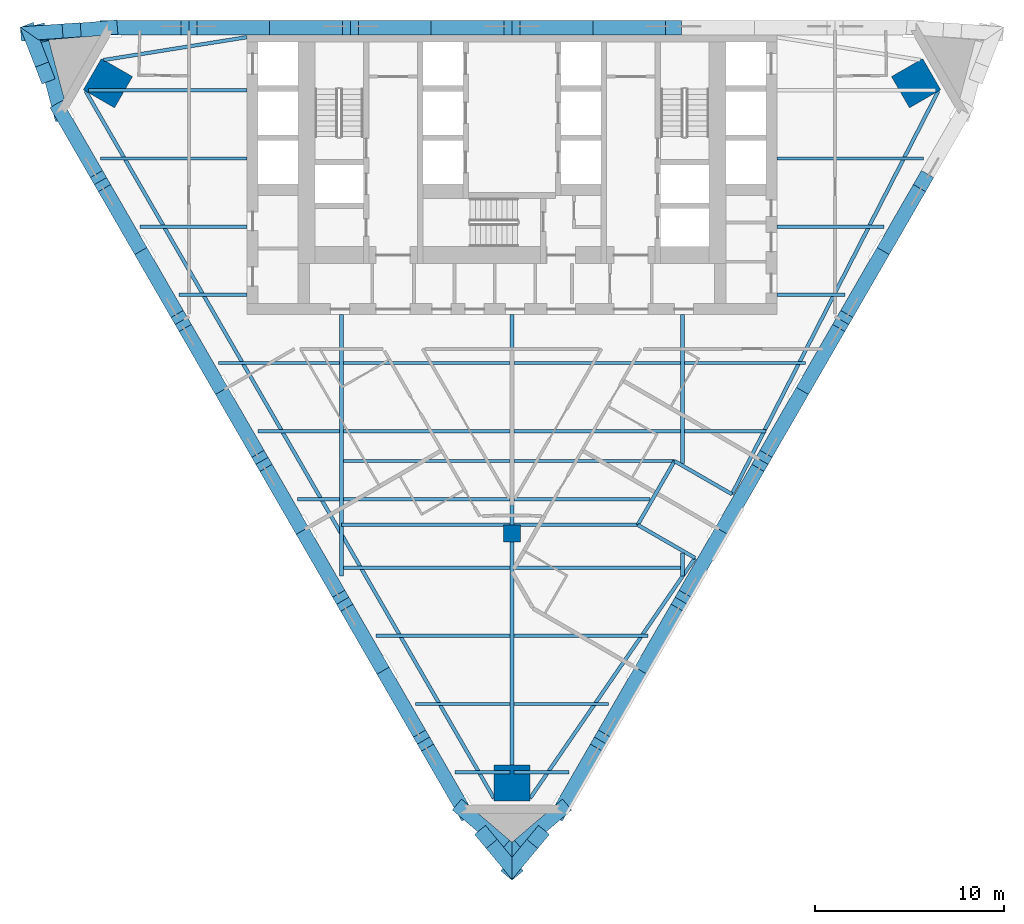
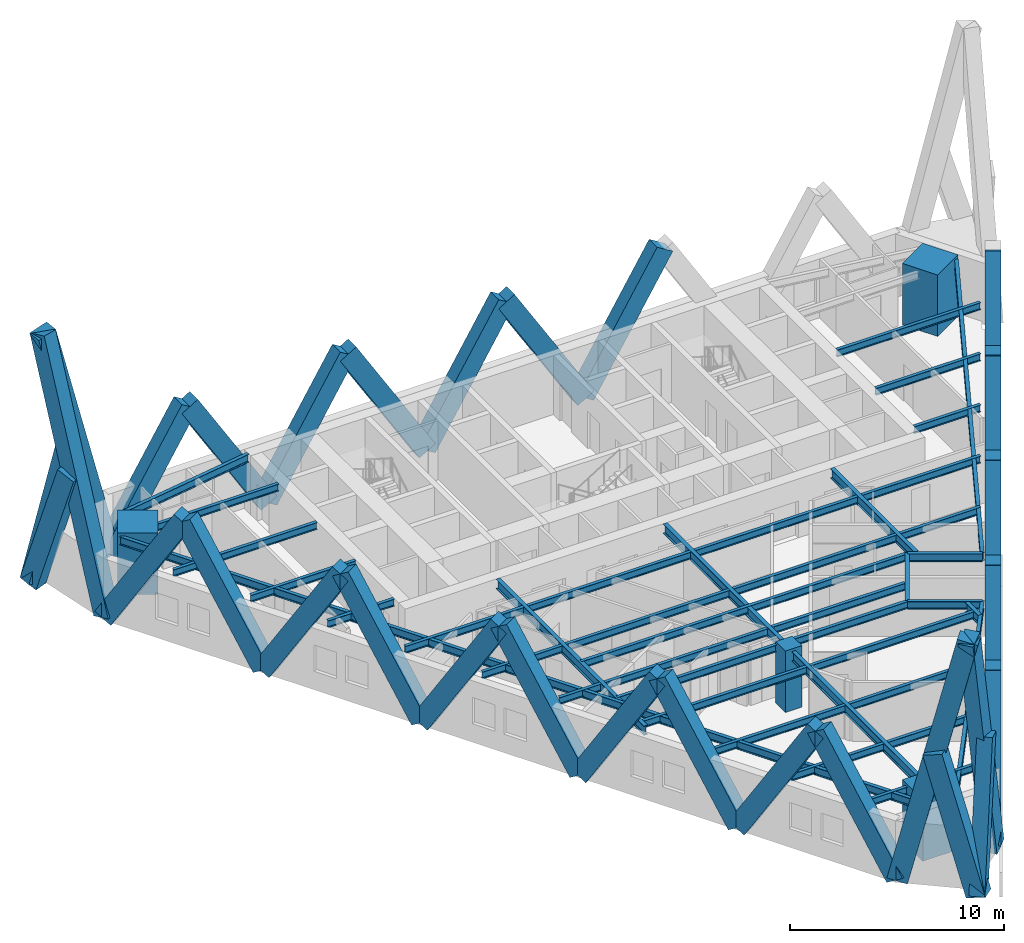
# One storey, part 1 of 9: 40 beams, 34 members, 4 columns.
"""IFC4 building model written with IfcOpenShell, lengths in metres."""

from ifc_helpers import new_model, si_unit, direction, frame, origin, origin_2d, place, context, subcontext, project, spatial, rectangle, i_section, extrude, material, material_profile, profile_set, type_object, element, save


model = new_model("IFC4")

# Units and contexts
model_context = context("Model", 3, precision=1e-05, world=origin(), true_north=direction((0.0, 1.0)))
body_context = subcontext(model_context, "Body", "Model", "MODEL_VIEW")
ifc_project = project(units=[si_unit("LENGTHUNIT", "METRE"), si_unit("AREAUNIT", "SQUARE_METRE"), si_unit("VOLUMEUNIT", "CUBIC_METRE"), si_unit("PLANEANGLEUNIT", "RADIAN"), si_unit("MASSUNIT", "GRAM", prefix="KILO")], contexts=[model_context])

# Site, building, storey
site_placement = place(None, origin())
site = spatial("IfcSite", under=ifc_project, at=site_placement, CompositionType="ELEMENT")
building_placement = place(site_placement, origin())
building = spatial("IfcBuilding", under=site, at=building_placement, Name="Aloe Facet Convention Tower", CompositionType="ELEMENT")
storey_placement = place(building_placement, frame((0.0, 0.0, 109.800048828125)))
storey = spatial("IfcBuildingStorey", under=building, at=storey_placement, Name="L27", CompositionType="ELEMENT", Elevation=109.800048828125)

# Columns
ifc_material_1 = material(Name="Concrete C70/85", Category="concrete")
ifc_material_profile_1 = material_profile(ifc_material_1, rectangle(XDim=0.89990234375, YDim=0.89990234375, at=origin_2d()), Name="SF-GC-Z2")
ifc_profile_set_1 = profile_set([ifc_material_profile_1], Name="Concrete C70/85")
column_type_1 = type_object("IfcColumnType", Name="SF-GC-Z2", PredefinedType="COLUMN", material=ifc_profile_set_1)
column_placement = place(storey_placement, frame((80.0, 108.0, 0.0), z_axis=(0.0, 0.0, 1.0), x_axis=(1.0, 0.0, 0.0)))
element("IfcColumn", 1, at=column_placement, inside=storey, type_object=column_type_1, Name="Gravity column GC-Z2-9D", PredefinedType="COLUMN", context=body_context, shape_type="SweptSolid", body=[
    extrude(rectangle(XDim=0.89990234375, YDim=0.89990234375, at=origin_2d()), origin(), (0.0, 0.0, 1.0), 3.5),
])
ifc_material_2 = material(Name="Concrete C80/95", Category="concrete")
ifc_material_profile_2 = material_profile(ifc_material_2, rectangle(XDim=1.89990234375, YDim=1.89990234375, at=origin_2d()), Name="STW-MC-Z2")
ifc_profile_set_2 = profile_set([ifc_material_profile_2], Name="Concrete C80/95")
column_type_2 = type_object("IfcColumnType", Name="STW-MC-Z2", PredefinedType="COLUMN", material=ifc_profile_set_2)
for number, where, z_axis, x_axis, name in (
    (2, (101.3359375, 131.775146484375, 0.0), (0.0, 0.0, 1.0), (-0.5, 0.866025403784, 0.0), "Mega-column MC-NE-L27"),
    (3, (58.6640625, 131.775146484375, 0.0), (0.0, 0.0, 1.0), (-0.5, -0.866025403784, 0.0), "Mega-column MC-NW-L27"),
    (4, (80.0, 94.8203125, 0.0), (0.0, 0.0, 1.0), (1.0, 0.0, 0.0), "Mega-column MC-S-L27"),
):
    element("IfcColumn", number, at=place(storey_placement, frame(where, z_axis=z_axis, x_axis=x_axis)), inside=storey, type_object=column_type_2, Name=name, PredefinedType="COLUMN", context=body_context, shape_type="SweptSolid", body=[
        extrude(rectangle(XDim=1.89990234375, YDim=1.89990234375, at=origin_2d()), origin(), (0.0, 0.0, 1.0), 3.5),
    ])

# Beams
ifc_material_3 = material(Name="Steel S355", Category="steel")
ifc_material_profile_3 = material_profile(ifc_material_3, i_section(OverallWidth=0.177734375, OverallDepth=0.402587890625, WebThickness=0.0078125, FlangeThickness=0.010986328125, FilletRadius=0.01025390625, at=origin_2d()), Name="UB 406x178x54")
ifc_profile_set_3 = profile_set([ifc_material_profile_3], Name="Steel S355")
beam_type_1 = type_object("IfcBeamType", Name="SF-B-UB406x178x54", PredefinedType="BEAM", material=ifc_profile_set_3)
beam_1_placement = place(storey_placement, frame((57.6376953125, 131.39990234375, 3.148681640625), z_axis=(1.0, 0.0, 0.0), x_axis=(0.0, 1.0, 0.0)))
element("IfcBeam", 5, at=beam_1_placement, inside=storey, type_object=beam_type_1, Name="Floor beam FB-Z2G-014", PredefinedType="BEAM", context=body_context, shape_type="SweptSolid", body=[
    extrude(i_section(OverallWidth=0.177734375, OverallDepth=0.402587890625, WebThickness=0.0078125, FlangeThickness=0.010986328125, FilletRadius=0.01025390625, at=origin_2d()), origin(), (0.0, 0.0, 1.0), 8.3623046875),
])
beam_2_placement = place(storey_placement, frame((58.27294921875, 127.800048828125, 3.148681640625), z_axis=(1.0, 0.0, 0.0), x_axis=(0.0, 1.0, 0.0)))
element("IfcBeam", 6, at=beam_2_placement, inside=storey, type_object=beam_type_1, Name="Floor beam FB-Z2G-015", PredefinedType="BEAM", context=body_context, shape_type="SweptSolid", body=[
    extrude(i_section(OverallWidth=0.177734375, OverallDepth=0.402587890625, WebThickness=0.0078125, FlangeThickness=0.010986328125, FilletRadius=0.01025390625, at=origin_2d()), origin(), (0.0, 0.0, 1.0), 7.72705078125),
])
beam_3_placement = place(storey_placement, frame((60.351318359375, 124.199951171875, 3.148681640625), z_axis=(1.0, 0.0, 0.0), x_axis=(0.0, 1.0, 0.0)))
element("IfcBeam", 7, at=beam_3_placement, inside=storey, type_object=beam_type_1, Name="Floor beam FB-Z2G-016", PredefinedType="BEAM", context=body_context, shape_type="SweptSolid", body=[
    extrude(i_section(OverallWidth=0.177734375, OverallDepth=0.402587890625, WebThickness=0.0078125, FlangeThickness=0.010986328125, FilletRadius=0.01025390625, at=origin_2d()), origin(), (0.0, 0.0, 1.0), 5.648681640625),
])
beam_4_placement = place(storey_placement, frame((62.429931640625, 120.60009765625, 3.148681640625), z_axis=(1.0, 0.0, 0.0), x_axis=(0.0, 1.0, 0.0)))
element("IfcBeam", 8, at=beam_4_placement, inside=storey, type_object=beam_type_1, Name="Floor beam FB-Z2G-017", PredefinedType="BEAM", context=body_context, shape_type="SweptSolid", body=[
    extrude(i_section(OverallWidth=0.177734375, OverallDepth=0.402587890625, WebThickness=0.0078125, FlangeThickness=0.010986328125, FilletRadius=0.01025390625, at=origin_2d()), origin(), (0.0, 0.0, 1.0), 3.570068359375),
])
beam_5_placement = place(storey_placement, frame((64.50830078125, 117.0, 3.148681640625), z_axis=(1.0, 0.0, 0.0), x_axis=(0.0, 1.0, 0.0)))
element("IfcBeam", 9, at=beam_5_placement, inside=storey, type_object=beam_type_1, Name="Floor beam FB-Z2G-018", PredefinedType="BEAM", context=body_context, shape_type="SweptSolid", body=[
    extrude(i_section(OverallWidth=0.177734375, OverallDepth=0.402587890625, WebThickness=0.0078125, FlangeThickness=0.010986328125, FilletRadius=0.01025390625, at=origin_2d()), origin(), (0.0, 0.0, 1.0), 6.38623046875),
])
beam_6_placement = place(storey_placement, frame((66.5869140625, 113.39990234375, 3.148681640625), z_axis=(1.0, 0.0, 0.0), x_axis=(0.0, 1.0, 0.0)))
element("IfcBeam", 10, at=beam_6_placement, inside=storey, type_object=beam_type_1, Name="Floor beam FB-Z2G-019", PredefinedType="BEAM", context=body_context, shape_type="SweptSolid", body=[
    extrude(i_section(OverallWidth=0.177734375, OverallDepth=0.402587890625, WebThickness=0.0078125, FlangeThickness=0.010986328125, FilletRadius=0.01025390625, at=origin_2d()), origin(), (0.0, 0.0, 1.0), 4.3076171875),
])
beam_7_placement = place(storey_placement, frame((68.665283203125, 109.800048828125, 3.148681640625), z_axis=(1.0, 0.0, 0.0), x_axis=(0.0, 1.0, 0.0)))
element("IfcBeam", 11, at=beam_7_placement, inside=storey, type_object=beam_type_1, Name="Floor beam FB-Z2G-020", PredefinedType="BEAM", context=body_context, shape_type="SweptSolid", body=[
    extrude(i_section(OverallWidth=0.177734375, OverallDepth=0.402587890625, WebThickness=0.0078125, FlangeThickness=0.010986328125, FilletRadius=0.01025390625, at=origin_2d()), origin(), (0.0, 0.0, 1.0), 2.229248046875),
])
for number, where, z_axis, x_axis, name in (
    (12, (71.10546875, 106.199951171875, 3.148681640625), (1.0, 0.0, 0.0), (0.0, 1.0, 0.0), "Floor beam FB-Z2G-021"),
    (13, (71.10546875, 109.800048828125, 3.148681640625), (1.0, 0.0, 0.0), (0.0, 1.0, 0.0), "Floor beam FB-Z2G-022"),
    (14, (71.10546875, 113.39990234375, 3.148681640625), (1.0, 0.0, 0.0), (0.0, 1.0, 0.0), "Floor beam FB-Z2G-023"),
    (15, (71.10546875, 117.0, 3.148681640625), (1.0, 0.0, 0.0), (0.0, 1.0, 0.0), "Floor beam FB-Z2G-024"),
):
    element("IfcBeam", number, at=place(storey_placement, frame(where, z_axis=z_axis, x_axis=x_axis)), inside=storey, type_object=beam_type_1, Name=name, PredefinedType="BEAM", context=body_context, shape_type="SweptSolid", body=[
        extrude(i_section(OverallWidth=0.177734375, OverallDepth=0.402587890625, WebThickness=0.0078125, FlangeThickness=0.010986328125, FilletRadius=0.01025390625, at=origin_2d()), origin(), (0.0, 0.0, 1.0), 8.7890625),
    ])
beam_8_placement = place(storey_placement, frame((72.822265625, 102.60009765625, 3.148681640625), z_axis=(1.0, 0.0, 0.0), x_axis=(0.0, 1.0, 0.0)))
element("IfcBeam", 16, at=beam_8_placement, inside=storey, type_object=beam_type_1, Name="Floor beam FB-Z2G-025", PredefinedType="BEAM", context=body_context, shape_type="SweptSolid", body=[
    extrude(i_section(OverallWidth=0.177734375, OverallDepth=0.402587890625, WebThickness=0.0078125, FlangeThickness=0.010986328125, FilletRadius=0.01025390625, at=origin_2d()), origin(), (0.0, 0.0, 1.0), 7.072265625),
])
beam_9_placement = place(storey_placement, frame((74.900634765625, 99.0, 3.148681640625), z_axis=(1.0, 0.0, 0.0), x_axis=(0.0, 1.0, 0.0)))
element("IfcBeam", 17, at=beam_9_placement, inside=storey, type_object=beam_type_1, Name="Floor beam FB-Z2G-026", PredefinedType="BEAM", context=body_context, shape_type="SweptSolid", body=[
    extrude(i_section(OverallWidth=0.177734375, OverallDepth=0.402587890625, WebThickness=0.0078125, FlangeThickness=0.010986328125, FilletRadius=0.01025390625, at=origin_2d()), origin(), (0.0, 0.0, 1.0), 4.993896484375),
])
for number, where, z_axis, x_axis, name in (
    (18, (76.97900390625, 95.39990234375, 3.148681640625), (1.0, 0.0, 0.0), (0.0, 1.0, 0.0), "Floor beam FB-Z2G-027"),
    (19, (80.10546875, 95.39990234375, 3.148681640625), (1.0, 0.0, 0.0), (0.0, 1.0, 0.0), "Floor beam FB-Z2G-028"),
):
    element("IfcBeam", number, at=place(storey_placement, frame(where, z_axis=z_axis, x_axis=x_axis)), inside=storey, type_object=beam_type_1, Name=name, PredefinedType="BEAM", context=body_context, shape_type="SweptSolid", body=[
        extrude(i_section(OverallWidth=0.177734375, OverallDepth=0.402587890625, WebThickness=0.0078125, FlangeThickness=0.010986328125, FilletRadius=0.01025390625, at=origin_2d()), origin(), (0.0, 0.0, 1.0), 2.91552734375),
    ])
beam_10_placement = place(storey_placement, frame((80.10546875, 99.0, 3.148681640625), z_axis=(1.0, 0.0, 0.0), x_axis=(0.0, 1.0, 0.0)))
element("IfcBeam", 20, at=beam_10_placement, inside=storey, type_object=beam_type_1, Name="Floor beam FB-Z2G-029", PredefinedType="BEAM", context=body_context, shape_type="SweptSolid", body=[
    extrude(i_section(OverallWidth=0.177734375, OverallDepth=0.402587890625, WebThickness=0.0078125, FlangeThickness=0.010986328125, FilletRadius=0.01025390625, at=origin_2d()), origin(), (0.0, 0.0, 1.0), 4.993896484375),
])
beam_11_placement = place(storey_placement, frame((80.10546875, 102.60009765625, 3.148681640625), z_axis=(1.0, 0.0, 0.0), x_axis=(0.0, 1.0, 0.0)))
element("IfcBeam", 21, at=beam_11_placement, inside=storey, type_object=beam_type_1, Name="Floor beam FB-Z2G-030", PredefinedType="BEAM", context=body_context, shape_type="SweptSolid", body=[
    extrude(i_section(OverallWidth=0.177734375, OverallDepth=0.402587890625, WebThickness=0.0078125, FlangeThickness=0.010986328125, FilletRadius=0.01025390625, at=origin_2d()), origin(), (0.0, 0.0, 1.0), 7.072265625),
])
beam_12_placement = place(storey_placement, frame((80.10546875, 106.199951171875, 3.148681640625), z_axis=(1.0, 0.0, 0.0), x_axis=(0.0, 1.0, 0.0)))
element("IfcBeam", 22, at=beam_12_placement, inside=storey, type_object=beam_type_1, Name="Floor beam FB-Z2G-031", PredefinedType="BEAM", context=body_context, shape_type="SweptSolid", body=[
    extrude(i_section(OverallWidth=0.177734375, OverallDepth=0.402587890625, WebThickness=0.0078125, FlangeThickness=0.010986328125, FilletRadius=0.01025390625, at=origin_2d()), origin(), (0.0, 0.0, 1.0), 8.7890625),
])
beam_13_placement = place(storey_placement, frame((80.10546875, 109.800048828125, 3.148681640625), z_axis=(1.0, 0.0, 0.0), x_axis=(0.0, 1.0, 0.0)))
element("IfcBeam", 23, at=beam_13_placement, inside=storey, type_object=beam_type_1, Name="Floor beam FB-Z2G-032", PredefinedType="BEAM", context=body_context, shape_type="SweptSolid", body=[
    extrude(i_section(OverallWidth=0.177734375, OverallDepth=0.402587890625, WebThickness=0.0078125, FlangeThickness=0.010986328125, FilletRadius=0.01025390625, at=origin_2d()), origin(), (0.0, 0.0, 1.0), 7.187744140625),
])
for number, where, z_axis, x_axis, name in (
    (24, (80.10546875, 113.39990234375, 3.148681640625), (1.0, 0.0, 0.0), (0.0, 1.0, 0.0), "Floor beam FB-Z2G-033"),
    (25, (80.10546875, 117.0, 3.148681640625), (1.0, 0.0, 0.0), (0.0, 1.0, 0.0), "Floor beam FB-Z2G-034"),
):
    element("IfcBeam", number, at=place(storey_placement, frame(where, z_axis=z_axis, x_axis=x_axis)), inside=storey, type_object=beam_type_1, Name=name, PredefinedType="BEAM", context=body_context, shape_type="SweptSolid", body=[
        extrude(i_section(OverallWidth=0.177734375, OverallDepth=0.402587890625, WebThickness=0.0078125, FlangeThickness=0.010986328125, FilletRadius=0.01025390625, at=origin_2d()), origin(), (0.0, 0.0, 1.0), 8.7890625),
    ])
beam_14_placement = place(storey_placement, frame((86.63671875, 108.455322265625, 3.148681640625), z_axis=(-1.0, 0.0, 0.0), x_axis=(0.0, -1.0, 0.0)))
element("IfcBeam", 26, at=beam_14_placement, inside=storey, type_object=beam_type_1, Name="Floor beam FB-Z2G-035", PredefinedType="BEAM", context=body_context, shape_type="SweptSolid", body=[
    extrude(i_section(OverallWidth=0.177734375, OverallDepth=0.402587890625, WebThickness=0.0078125, FlangeThickness=0.010986328125, FilletRadius=0.01025390625, at=origin_2d()), origin(), (0.0, 0.0, 1.0), 15.63671875),
])
beam_15_placement = place(storey_placement, frame((88.58154296875, 111.82421875, 3.148681640625), z_axis=(-1.0, 0.0, 0.0), x_axis=(0.0, -1.0, 0.0)))
element("IfcBeam", 27, at=beam_15_placement, inside=storey, type_object=beam_type_1, Name="Floor beam FB-Z2G-036", PredefinedType="BEAM", context=body_context, shape_type="SweptSolid", body=[
    extrude(i_section(OverallWidth=0.177734375, OverallDepth=0.402587890625, WebThickness=0.0078125, FlangeThickness=0.010986328125, FilletRadius=0.01025390625, at=origin_2d()), origin(), (0.0, 0.0, 1.0), 17.58154296875),
])
beam_16_placement = place(storey_placement, frame((89.10546875, 113.39990234375, 3.148681640625), z_axis=(1.0, 0.0, 0.0), x_axis=(0.0, 1.0, 0.0)))
element("IfcBeam", 28, at=beam_16_placement, inside=storey, type_object=beam_type_1, Name="Floor beam FB-Z2G-037", PredefinedType="BEAM", context=body_context, shape_type="SweptSolid", body=[
    extrude(i_section(OverallWidth=0.177734375, OverallDepth=0.402587890625, WebThickness=0.0078125, FlangeThickness=0.010986328125, FilletRadius=0.01025390625, at=origin_2d()), origin(), (0.0, 0.0, 1.0), 4.3076171875),
])
beam_17_placement = place(storey_placement, frame((89.10546875, 117.0, 3.148681640625), z_axis=(1.0, 0.0, 0.0), x_axis=(0.0, 1.0, 0.0)))
element("IfcBeam", 29, at=beam_17_placement, inside=storey, type_object=beam_type_1, Name="Floor beam FB-Z2G-038", PredefinedType="BEAM", context=body_context, shape_type="SweptSolid", body=[
    extrude(i_section(OverallWidth=0.177734375, OverallDepth=0.402587890625, WebThickness=0.0078125, FlangeThickness=0.010986328125, FilletRadius=0.01025390625, at=origin_2d()), origin(), (0.0, 0.0, 1.0), 6.38623046875),
])
beam_18_placement = place(storey_placement, frame((94.0, 120.60009765625, 3.148681640625), z_axis=(1.0, 0.0, 0.0), x_axis=(0.0, 1.0, 0.0)))
element("IfcBeam", 30, at=beam_18_placement, inside=storey, type_object=beam_type_1, Name="Floor beam FB-Z2G-039", PredefinedType="BEAM", context=body_context, shape_type="SweptSolid", body=[
    extrude(i_section(OverallWidth=0.177734375, OverallDepth=0.402587890625, WebThickness=0.0078125, FlangeThickness=0.010986328125, FilletRadius=0.01025390625, at=origin_2d()), origin(), (0.0, 0.0, 1.0), 3.570068359375),
])
beam_19_placement = place(storey_placement, frame((94.0, 124.199951171875, 3.148681640625), z_axis=(1.0, 0.0, 0.0), x_axis=(0.0, 1.0, 0.0)))
element("IfcBeam", 31, at=beam_19_placement, inside=storey, type_object=beam_type_1, Name="Floor beam FB-Z2G-040", PredefinedType="BEAM", context=body_context, shape_type="SweptSolid", body=[
    extrude(i_section(OverallWidth=0.177734375, OverallDepth=0.402587890625, WebThickness=0.0078125, FlangeThickness=0.010986328125, FilletRadius=0.01025390625, at=origin_2d()), origin(), (0.0, 0.0, 1.0), 5.648681640625),
])
beam_20_placement = place(storey_placement, frame((94.0, 127.800048828125, 3.148681640625), z_axis=(1.0, 0.0, 0.0), x_axis=(0.0, 1.0, 0.0)))
element("IfcBeam", 32, at=beam_20_placement, inside=storey, type_object=beam_type_1, Name="Floor beam FB-Z2G-041", PredefinedType="BEAM", context=body_context, shape_type="SweptSolid", body=[
    extrude(i_section(OverallWidth=0.177734375, OverallDepth=0.402587890625, WebThickness=0.0078125, FlangeThickness=0.010986328125, FilletRadius=0.01025390625, at=origin_2d()), origin(), (0.0, 0.0, 1.0), 7.72705078125),
])
ifc_material_4 = material(Name="Steel S355", Category="steel")
ifc_material_profile_4 = material_profile(ifc_material_4, i_section(OverallWidth=0.18994140625, OverallDepth=0.453369140625, WebThickness=0.008544921875, FlangeThickness=0.0126953125, FilletRadius=0.01025390625, at=origin_2d()), Name="UB 457x191x67")
ifc_profile_set_4 = profile_set([ifc_material_profile_4], Name="Steel S355")
beam_type_2 = type_object("IfcBeamType", Name="SF-B-UB457x191x67", PredefinedType="BEAM", material=ifc_profile_set_4)
beam_21_placement = place(storey_placement, frame((66.0, 134.205078125, 3.123291015625), z_axis=(-0.987536396348, -0.15739080624, 0.0), x_axis=(0.15739080624, -0.987536396348, 0.0)))
element("IfcBeam", 33, at=beam_21_placement, inside=storey, type_object=beam_type_2, Name="Floor beam FB-Z2G-001", PredefinedType="BEAM", context=body_context, shape_type="SweptSolid", body=[
    extrude(i_section(OverallWidth=0.18994140625, OverallDepth=0.453369140625, WebThickness=0.008544921875, FlangeThickness=0.0126953125, FilletRadius=0.01025390625, at=origin_2d()), origin(), (0.0, 0.0, 1.0), 7.653564453125),
])
beam_22_placement = place(storey_placement, frame((79.050048828125, 94.01513671875, 3.123291015625), z_axis=(-0.499998897659, 0.86602604022, 0.0), x_axis=(-0.86602604022, -0.499998897659, 0.0)))
element("IfcBeam", 34, at=beam_22_placement, inside=storey, type_object=beam_type_2, Name="Floor beam FB-Z2G-002", PredefinedType="BEAM", context=body_context, shape_type="SweptSolid", body=[
    extrude(i_section(OverallWidth=0.18994140625, OverallDepth=0.453369140625, WebThickness=0.008544921875, FlangeThickness=0.0126953125, FilletRadius=0.01025390625, at=origin_2d()), origin(), (0.0, 0.0, 1.0), 43.1162109375),
])
beam_23_placement = place(storey_placement, frame((86.63671875, 108.455322265625, 3.123291015625), z_axis=(0.866019471182, -0.500010275428, 0.0), x_axis=(0.500010275428, 0.866019471182, 0.0)))
element("IfcBeam", 35, at=beam_23_placement, inside=storey, type_object=beam_type_2, Name="Floor beam FB-Z2G-003", PredefinedType="BEAM", context=body_context, shape_type="SweptSolid", body=[
    extrude(i_section(OverallWidth=0.18994140625, OverallDepth=0.453369140625, WebThickness=0.008544921875, FlangeThickness=0.0126953125, FilletRadius=0.01025390625, at=origin_2d()), origin(), (0.0, 0.0, 1.0), 3.5),
])
beam_24_placement = place(storey_placement, frame((88.58154296875, 111.82421875, 3.123291015625), z_axis=(-0.499959689288, -0.866048675934, 0.0), x_axis=(0.866048675934, -0.499959689288, 0.0)))
element("IfcBeam", 36, at=beam_24_placement, inside=storey, type_object=beam_type_2, Name="Floor beam FB-Z2G-004", PredefinedType="BEAM", context=body_context, shape_type="SweptSolid", body=[
    extrude(i_section(OverallWidth=0.18994140625, OverallDepth=0.453369140625, WebThickness=0.008544921875, FlangeThickness=0.0126953125, FilletRadius=0.01025390625, at=origin_2d()), origin(), (0.0, 0.0, 1.0), 3.889892578125),
])
beam_25_placement = place(storey_placement, frame((89.667724609375, 106.705322265625, 3.123291015625), z_axis=(-0.566231998303, -0.824245912394, 0.0), x_axis=(0.824245912394, -0.566231998303, 0.0)))
element("IfcBeam", 37, at=beam_25_placement, inside=storey, type_object=beam_type_2, Name="Floor beam FB-Z2G-005", PredefinedType="BEAM", context=body_context, shape_type="SweptSolid", body=[
    extrude(i_section(OverallWidth=0.18994140625, OverallDepth=0.453369140625, WebThickness=0.008544921875, FlangeThickness=0.0126953125, FilletRadius=0.01025390625, at=origin_2d()), origin(), (0.0, 0.0, 1.0), 15.39599609375),
])
beam_26_placement = place(storey_placement, frame((91.612548828125, 110.07421875, 3.123291015625), z_axis=(-0.866019471182, 0.500010275428, 0.0), x_axis=(-0.500010275428, -0.866019471182, 0.0)))
element("IfcBeam", 38, at=beam_26_placement, inside=storey, type_object=beam_type_2, Name="Floor beam FB-Z2G-006", PredefinedType="BEAM", context=body_context, shape_type="SweptSolid", body=[
    extrude(i_section(OverallWidth=0.18994140625, OverallDepth=0.453369140625, WebThickness=0.008544921875, FlangeThickness=0.0126953125, FilletRadius=0.01025390625, at=origin_2d()), origin(), (0.0, 0.0, 1.0), 3.5),
])
beam_27_placement = place(storey_placement, frame((91.612548828125, 110.07421875, 3.123291015625), z_axis=(0.45573025234, 0.890117934379, 0.0), x_axis=(-0.890117934379, 0.45573025234, 0.0)))
element("IfcBeam", 39, at=beam_27_placement, inside=storey, type_object=beam_type_2, Name="Floor beam FB-Z2G-007", PredefinedType="BEAM", context=body_context, shape_type="SweptSolid", body=[
    extrude(i_section(OverallWidth=0.18994140625, OverallDepth=0.453369140625, WebThickness=0.008544921875, FlangeThickness=0.0126953125, FilletRadius=0.01025390625, at=origin_2d()), origin(), (0.0, 0.0, 1.0), 23.90771484375),
])
ifc_material_5 = material(Name="Steel S355", Category="steel")
ifc_material_profile_5 = material_profile(ifc_material_5, i_section(OverallWidth=0.210693359375, OverallDepth=0.53955078125, WebThickness=0.01171875, FlangeThickness=0.018798828125, FilletRadius=0.0126953125, at=origin_2d()), Name="UB 533x210x109")
ifc_profile_set_5 = profile_set([ifc_material_profile_5], Name="Steel S355")
beam_type_3 = type_object("IfcBeamType", Name="SF-B-UB533x210x109", PredefinedType="BEAM", material=ifc_profile_set_5)
beam_28_placement = place(storey_placement, frame((71.0, 119.550048828125, 3.080078125), z_axis=(0.0, -1.0, 0.0), x_axis=(1.0, 0.0, 0.0)))
element("IfcBeam", 40, at=beam_28_placement, inside=storey, type_object=beam_type_3, Name="Floor beam FB-Z2G-009", PredefinedType="BEAM", context=body_context, shape_type="SweptSolid", body=[
    extrude(i_section(OverallWidth=0.210693359375, OverallDepth=0.53955078125, WebThickness=0.01171875, FlangeThickness=0.018798828125, FilletRadius=0.0126953125, at=origin_2d()), origin(), (0.0, 0.0, 1.0), 13.80126953125),
])
beam_29_placement = place(storey_placement, frame((80.0, 107.550048828125, 3.080078125), z_axis=(0.0, -1.0, 0.0), x_axis=(1.0, 0.0, 0.0)))
element("IfcBeam", 41, at=beam_29_placement, inside=storey, type_object=beam_type_3, Name="Floor beam FB-Z2G-010", PredefinedType="BEAM", context=body_context, shape_type="SweptSolid", body=[
    extrude(i_section(OverallWidth=0.210693359375, OverallDepth=0.53955078125, WebThickness=0.01171875, FlangeThickness=0.018798828125, FilletRadius=0.0126953125, at=origin_2d()), origin(), (0.0, 0.0, 1.0), 13.429931640625),
])
beam_30_placement = place(storey_placement, frame((80.0, 119.550048828125, 3.080078125), z_axis=(0.0, -1.0, 0.0), x_axis=(1.0, 0.0, 0.0)))
element("IfcBeam", 42, at=beam_30_placement, inside=storey, type_object=beam_type_3, Name="Floor beam FB-Z2G-011", PredefinedType="BEAM", context=body_context, shape_type="SweptSolid", body=[
    extrude(i_section(OverallWidth=0.210693359375, OverallDepth=0.53955078125, WebThickness=0.01171875, FlangeThickness=0.018798828125, FilletRadius=0.0126953125, at=origin_2d()), origin(), (0.0, 0.0, 1.0), 11.10009765625),
])
beam_31_placement = place(storey_placement, frame((89.0, 106.97119140625, 3.080078125), z_axis=(0.0, -1.0, 0.0), x_axis=(1.0, 0.0, 0.0)))
element("IfcBeam", 43, at=beam_31_placement, inside=storey, type_object=beam_type_3, Name="Floor beam FB-Z2G-012", PredefinedType="BEAM", context=body_context, shape_type="SweptSolid", body=[
    extrude(i_section(OverallWidth=0.210693359375, OverallDepth=0.53955078125, WebThickness=0.01171875, FlangeThickness=0.018798828125, FilletRadius=0.0126953125, at=origin_2d()), origin(), (0.0, 0.0, 1.0), 1.222412109375),
])
beam_32_placement = place(storey_placement, frame((89.0, 119.550048828125, 3.080078125), z_axis=(0.0, -1.0, 0.0), x_axis=(1.0, 0.0, 0.0)))
element("IfcBeam", 44, at=beam_32_placement, inside=storey, type_object=beam_type_3, Name="Floor beam FB-Z2G-013", PredefinedType="BEAM", context=body_context, shape_type="SweptSolid", body=[
    extrude(i_section(OverallWidth=0.210693359375, OverallDepth=0.53955078125, WebThickness=0.01171875, FlangeThickness=0.018798828125, FilletRadius=0.0126953125, at=origin_2d()), origin(), (0.0, 0.0, 1.0), 7.847900390625),
])

# Members
ifc_material_6 = material(Name="Concrete C60/75, bronze oxide finish", Category="concrete")
ifc_material_profile_6 = material_profile(ifc_material_6, rectangle(XDim=0.75, YDim=1.0, at=origin_2d()), Name="STW-LM")
ifc_profile_set_6 = profile_set([ifc_material_profile_6], Name="Concrete C60/75, bronze oxide finish")
member_type = type_object("IfcMemberType", Name="STW-LM", PredefinedType="BRACE", material=ifc_profile_set_6)
for number, where, z_axis, x_axis, name in (
    (45, (84.264404296875, 134.699951171875, 0.0), (0.520239844858, 0.0, 0.854020201062), (0.0, 1.0, 0.0), "Lattice member LM-Z2-F1-R4-04"),
    (46, (84.264404296875, 134.699951171875, 0.0), (-0.520261568685, 0.0, 0.854006967272), (0.0, -1.0, 0.0), "Lattice member LM-Z2-F1-R4-05"),
    (47, (75.735595703125, 134.699951171875, 0.0), (0.520261568685, 0.0, 0.854006967272), (0.0, 1.0, 0.0), "Lattice member LM-Z2-F1-R4-06"),
    (48, (75.735595703125, 134.699951171875, 0.0), (-0.520239844858, 0.0, 0.854020201062), (0.0, -1.0, 0.0), "Lattice member LM-Z2-F1-R4-07"),
    (49, (67.20703125, 134.699951171875, 0.0), (0.520261568685, 0.0, 0.854006967272), (0.0, 1.0, 0.0), "Lattice member LM-Z2-F1-R4-08"),
    (50, (67.20703125, 134.699951171875, 0.0), (-0.520239844858, 0.0, 0.854020201062), (0.0, -1.0, 0.0), "Lattice member LM-Z2-F1-R4-09"),
    (51, (58.678466796875, 134.699951171875, 0.0), (0.520261568685, 0.0, 0.854006967272), (0.0, 1.0, 0.0), "Lattice member LM-Z2-F1-R4-10"),
):
    element("IfcMember", number, at=place(storey_placement, frame(where, z_axis=z_axis, x_axis=x_axis)), inside=storey, type_object=member_type, Name=name, PredefinedType="BRACE", context=body_context, shape_type="SweptSolid", body=[
        extrude(rectangle(XDim=0.75, YDim=1.0, at=origin_2d()), origin(), (0.0, 0.0, 1.0), 8.196533203125),
    ])
member_1_placement = place(storey_placement, frame((56.13818359375, 130.30029296875, 0.0), z_axis=(0.260144200438, -0.450561177013, 0.854002119873), x_axis=(0.866014930446, 0.500018139916, 0.0)))
element("IfcMember", 52, at=member_1_placement, inside=storey, type_object=member_type, Name="Lattice member LM-Z2-F2-R4-01", PredefinedType="BRACE", context=body_context, shape_type="SweptSolid", body=[
    extrude(rectangle(XDim=0.75, YDim=1.0, at=origin_2d()), origin(), (0.0, 0.0, 1.0), 8.19677734375),
])
for number, where, z_axis, x_axis, name in (
    (53, (60.402587890625, 122.914306640625, 0.0), (-0.26011992139, 0.45054092877, 0.854020197653), (-0.866025408043, -0.499999992624, 0.0), "Lattice member LM-Z2-F2-R4-02"),
    (54, (60.402587890625, 122.914306640625, 0.0), (0.260116430601, -0.450564668007, 0.854008736768), (0.866039720501, 0.4999752019, 0.0), "Lattice member LM-Z2-F2-R4-03"),
    (55, (64.6669921875, 115.5283203125, 0.0), (-0.260147691546, 0.450537437867, 0.854013580491), (-0.866000615939, -0.500042931351, 0.0), "Lattice member LM-Z2-F2-R4-04"),
    (56, (64.6669921875, 115.5283203125, 0.0), (0.260116430601, -0.450564668007, 0.854008736768), (0.866039720501, 0.4999752019, 0.0), "Lattice member LM-Z2-F2-R4-05"),
    (57, (68.93115234375, 108.142333984375, 0.0), (-0.26011992139, 0.45054092877, 0.854020197653), (-0.866025408043, -0.499999992624, 0.0), "Lattice member LM-Z2-F2-R4-06"),
    (58, (68.93115234375, 108.142333984375, 0.0), (0.260116430601, -0.450564668007, 0.854008736768), (0.866039720501, 0.4999752019, 0.0), "Lattice member LM-Z2-F2-R4-07"),
    (59, (73.195556640625, 100.75634765625, 0.0), (-0.260147691546, 0.450537437867, 0.854013580491), (-0.866000615939, -0.500042931351, 0.0), "Lattice member LM-Z2-F2-R4-08"),
    (60, (73.195556640625, 100.75634765625, 0.0), (0.260116430601, -0.450564668007, 0.854008736768), (0.866039720501, 0.4999752019, 0.0), "Lattice member LM-Z2-F2-R4-09"),
    (61, (77.459716796875, 93.370361328125, 0.0), (-0.26011992139, 0.45054092877, 0.854020197653), (-0.866025408043, -0.499999992624, 0.0), "Lattice member LM-Z2-F2-R4-10"),
    (62, (82.540283203125, 93.370361328125, 0.0), (0.26011992139, 0.45054092877, 0.854020197653), (-0.866025408043, 0.499999992624, 0.0), "Lattice member LM-Z2-F3-R4-01"),
    (63, (86.804443359375, 100.75634765625, 0.0), (-0.260116430601, -0.450564668007, 0.854008736768), (0.866039720501, -0.4999752019, 0.0), "Lattice member LM-Z2-F3-R4-02"),
    (64, (86.804443359375, 100.75634765625, 0.0), (0.260147691546, 0.450537437867, 0.854013580491), (-0.866000615939, 0.500042931351, 0.0), "Lattice member LM-Z2-F3-R4-03"),
    (65, (91.06884765625, 108.142333984375, 0.0), (-0.260116430601, -0.450564668007, 0.854008736768), (0.866039720501, -0.4999752019, 0.0), "Lattice member LM-Z2-F3-R4-04"),
    (66, (91.06884765625, 108.142333984375, 0.0), (0.26011992139, 0.45054092877, 0.854020197653), (-0.866025408043, 0.499999992624, 0.0), "Lattice member LM-Z2-F3-R4-05"),
    (67, (95.3330078125, 115.5283203125, 0.0), (-0.260116430601, -0.450564668007, 0.854008736768), (0.866039720501, -0.4999752019, 0.0), "Lattice member LM-Z2-F3-R4-06"),
    (68, (95.3330078125, 115.5283203125, 0.0), (0.260147691546, 0.450537437867, 0.854013580491), (-0.866000615939, 0.500042931351, 0.0), "Lattice member LM-Z2-F3-R4-07"),
    (69, (99.597412109375, 122.914306640625, 0.0), (-0.260116430601, -0.450564668007, 0.854008736768), (0.866039720501, -0.4999752019, 0.0), "Lattice member LM-Z2-F3-R4-08"),
    (70, (99.597412109375, 122.914306640625, 0.0), (0.26011992139, 0.45054092877, 0.854020197653), (-0.866025408043, 0.499999992624, 0.0), "Lattice member LM-Z2-F3-R4-09"),
):
    element("IfcMember", number, at=place(storey_placement, frame(where, z_axis=z_axis, x_axis=x_axis)), inside=storey, type_object=member_type, Name=name, PredefinedType="BRACE", context=body_context, shape_type="SweptSolid", body=[
        extrude(rectangle(XDim=0.75, YDim=1.0, at=origin_2d()), origin(), (0.0, 0.0, 1.0), 8.196533203125),
    ])
member_2_placement = place(storey_placement, frame((58.678466796875, 134.699951171875, 0.0), z_axis=(-0.250150651235, -0.020509686298, 0.967989671667), x_axis=(0.081715143168, -0.996655725603, 0.0)))
element("IfcMember", 71, at=member_2_placement, inside=storey, type_object=member_type, Name="Lattice member LM-Z2-F4-R4-01", PredefinedType="BRACE", context=body_context, shape_type="SweptSolid", body=[
    extrude(rectangle(XDim=0.75, YDim=1.0, at=origin_2d()), origin(), (0.0, 0.0, 1.0), 14.462890625),
])
member_3_placement = place(storey_placement, frame((54.543701171875, 134.41064453125, 0.0), z_axis=(0.283194090919, 0.019822645416, 0.958857742106), x_axis=(-0.069825829344, 0.997559198021, 0.0)))
element("IfcMember", 72, at=member_3_placement, inside=storey, type_object=member_type, Name="Lattice member LM-Z2-F4-R4-02", PredefinedType="BRACE", context=body_context, shape_type="SweptSolid", body=[
    extrude(rectangle(XDim=0.75, YDim=1.0, at=origin_2d()), origin(), (0.0, 0.0, 1.0), 7.783935546875),
])
member_4_placement = place(storey_placement, frame((56.13818359375, 130.30029296875, 0.0), z_axis=(-0.0736663949, 0.280479708358, 0.95702894181), x_axis=(-0.967196683587, -0.254028689834, 0.0)))
element("IfcMember", 73, at=member_4_placement, inside=storey, type_object=member_type, Name="Lattice member LM-Z2-F4-R4-03", PredefinedType="BRACE", context=body_context, shape_type="SweptSolid", body=[
    extrude(rectangle(XDim=0.75, YDim=1.0, at=origin_2d()), origin(), (0.0, 0.0, 1.0), 14.628662109375),
])
member_5_placement = place(storey_placement, frame((54.543701171875, 134.41064453125, 0.0), z_axis=(0.108648255943, -0.28003843266, 0.953820755024), x_axis=(0.932291801196, 0.361707060233, 0.0)))
element("IfcMember", 74, at=member_5_placement, inside=storey, type_object=member_type, Name="Lattice member LM-Z2-F4-R4-04", PredefinedType="BRACE", context=body_context, shape_type="SweptSolid", body=[
    extrude(rectangle(XDim=0.75, YDim=1.0, at=origin_2d()), origin(), (0.0, 0.0, 1.0), 7.482666015625),
])
member_6_placement = place(storey_placement, frame((77.459716796875, 93.370361328125, 0.0), z_axis=(0.17649255813, -0.15077773659, 0.972685175724), x_axis=(0.649544819909, 0.760323304213, 0.0)))
element("IfcMember", 75, at=member_6_placement, inside=storey, type_object=member_type, Name="Lattice member LM-Z2-F5-R4-01", PredefinedType="BRACE", context=body_context, shape_type="SweptSolid", body=[
    extrude(rectangle(XDim=0.75, YDim=1.0, at=origin_2d()), origin(), (0.0, 0.0, 1.0), 14.39306640625),
])
member_7_placement = place(storey_placement, frame((80.0, 90.318115234375, 0.0), z_axis=(-0.174553611673, 0.209735916713, 0.96205087282), x_axis=(-0.768629026053, -0.639694786839, 0.0)))
element("IfcMember", 76, at=member_7_placement, inside=storey, type_object=member_type, Name="Lattice member LM-Z2-F5-R4-02", PredefinedType="BRACE", context=body_context, shape_type="SweptSolid", body=[
    extrude(rectangle(XDim=0.75, YDim=1.0, at=origin_2d()), origin(), (0.0, 0.0, 1.0), 7.910888671875),
])
member_8_placement = place(storey_placement, frame((82.540283203125, 93.370361328125, 0.0), z_axis=(-0.17649255813, -0.15077773659, 0.972685175724), x_axis=(0.649544819909, -0.760323304213, 0.0)))
element("IfcMember", 77, at=member_8_placement, inside=storey, type_object=member_type, Name="Lattice member LM-Z2-F5-R4-03", PredefinedType="BRACE", context=body_context, shape_type="SweptSolid", body=[
    extrude(rectangle(XDim=0.75, YDim=1.0, at=origin_2d()), origin(), (0.0, 0.0, 1.0), 14.39306640625),
])
member_9_placement = place(storey_placement, frame((80.0, 90.318115234375, 0.0), z_axis=(0.174553611673, 0.209735916713, 0.96205087282), x_axis=(-0.768629026053, 0.639694786839, 0.0)))
element("IfcMember", 78, at=member_9_placement, inside=storey, type_object=member_type, Name="Lattice member LM-Z2-F5-R4-04", PredefinedType="BRACE", context=body_context, shape_type="SweptSolid", body=[
    extrude(rectangle(XDim=0.75, YDim=1.0, at=origin_2d()), origin(), (0.0, 0.0, 1.0), 7.910888671875),
])

save(model, "model.ifc")
